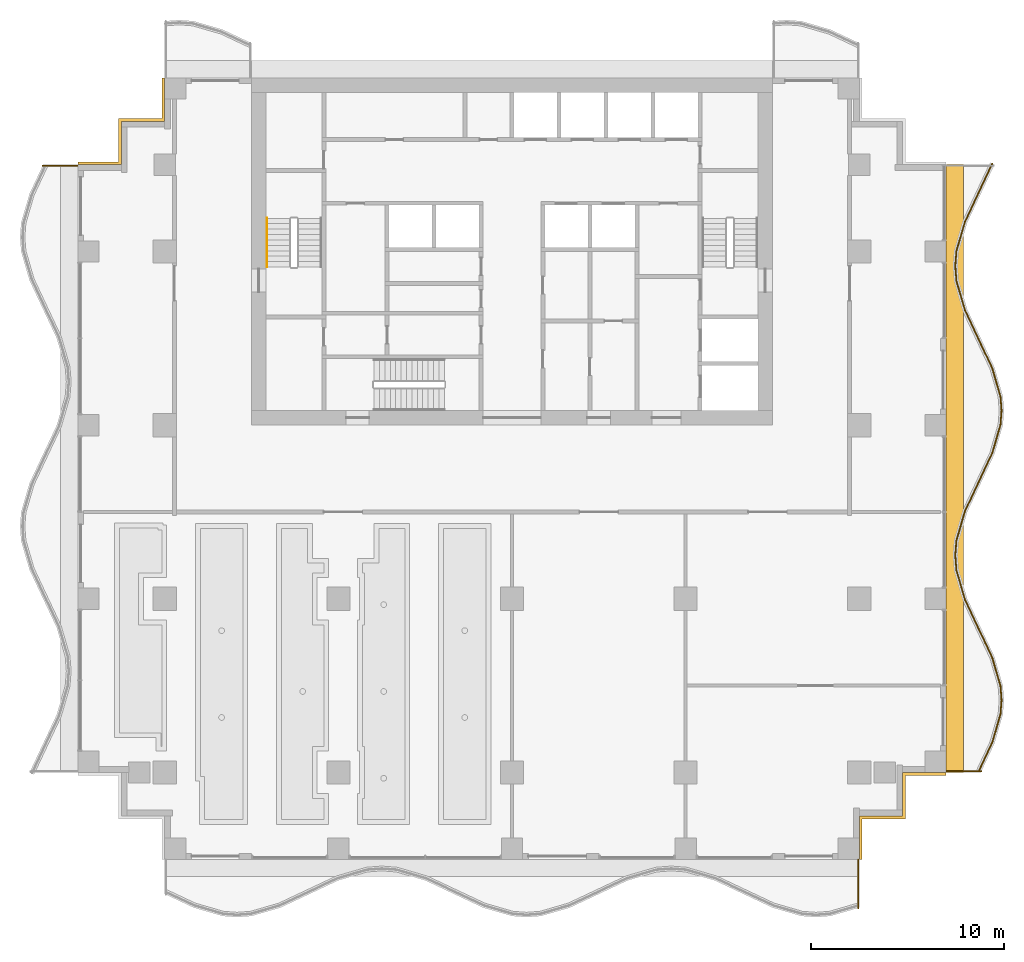
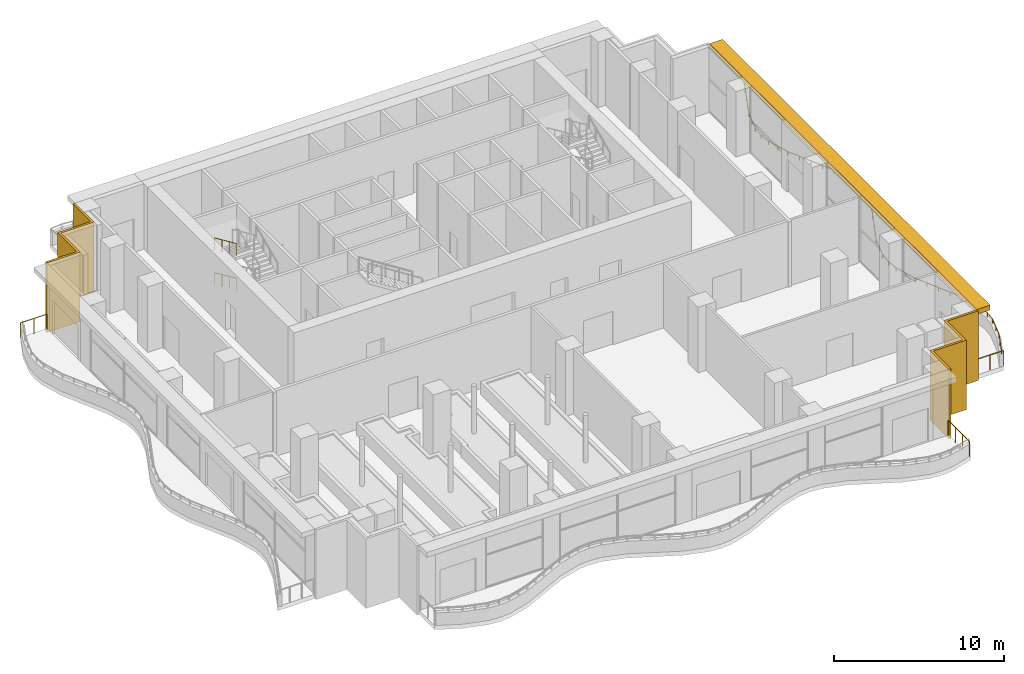
# One storey, part 14 of 16: 6 railings, 3 shading devices.
"""IFC4 building model written with IfcOpenShell, lengths in metres."""

from ifc_helpers import new_model, si_unit, direction, frame, origin, origin_2d, place, context, subcontext, project, spatial, polyline, rectangle, circle, outline, extrude, material, layer, layer_set, type_object, element, save


model = new_model("IFC4")

# Units and contexts
model_context = context("Model", 3, precision=1e-05, world=origin(), true_north=direction((0.0, 1.0)))
body_context = subcontext(model_context, "Body", "Model", "MODEL_VIEW")
ifc_project = project(units=[si_unit("LENGTHUNIT", "METRE"), si_unit("AREAUNIT", "SQUARE_METRE"), si_unit("VOLUMEUNIT", "CUBIC_METRE"), si_unit("PLANEANGLEUNIT", "RADIAN"), si_unit("MASSUNIT", "GRAM", prefix="KILO")], contexts=[model_context])

# Site, building, storey
site_placement = place(None, origin())
site = spatial("IfcSite", under=ifc_project, at=site_placement, CompositionType="ELEMENT")
building_placement = place(site_placement, origin())
building = spatial("IfcBuilding", under=site, at=building_placement, Name="Orbiselva Terraces", CompositionType="ELEMENT")
storey_placement = place(building_placement, frame((0.0, 0.0, 174.4)))
storey = spatial("IfcBuildingStorey", under=building, at=storey_placement, Name="L44", CompositionType="ELEMENT", Elevation=174.4)

# Railings
ifc_material_1 = material(Name="Stainless steel", Category="steel")
railing_type_1 = type_object("IfcRailingType", Name="CORE-HANDRAIL-900", PredefinedType="HANDRAIL", material=ifc_material_1)
for number, where, name in (
    (1, (-12.7, 15.22, 1.375), "L44 S1 stair handrail 2"),
    (2, (-12.7, 15.22, 3.875), "L44 S1 stair handrail 4"),
):
    element("IfcRailing", number, at=place(storey_placement, frame(where)), inside=storey, type_object=railing_type_1, Name=name, PredefinedType="HANDRAIL", context=body_context, shape_type="SweptSolid", body=[
        extrude(circle(Radius=0.024, at=origin_2d()), frame((0.0, 0.0, 0.876), z_axis=(0.0, -0.913137882438, 0.407650840374), x_axis=(1.0, 0.0, 0.0)), (0.0, 0.0, 1.0), 2.759715),
        extrude(circle(Radius=0.021, at=origin_2d()), origin(), (0.0, 0.0, 1.0), 0.852),
        extrude(circle(Radius=0.021, at=origin_2d()), frame((0.0, -0.84, 0.375)), (0.0, 0.0, 1.0), 0.852),
        extrude(circle(Radius=0.021, at=origin_2d()), frame((0.0, -1.68, 0.75)), (0.0, 0.0, 1.0), 0.852),
        extrude(circle(Radius=0.021, at=origin_2d()), frame((0.0, -2.52, 1.125)), (0.0, 0.0, 1.0), 0.852),
    ])
ifc_material_2 = material(Name="Bonded two-ply safety glass balustrade, stainless steel posts", Category="steel")
railing_type_2 = type_object("IfcRailingType", Name="ENV-BALUSTRADE-1200", PredefinedType="BALUSTRADE", material=ifc_material_2)
railing_1_placement = place(storey_placement, frame((24.186882, -13.446809, 0.9)))
element("IfcRailing", 3, at=railing_1_placement, inside=storey, type_object=railing_type_2, Name="Balcony balustrade L44 E", PredefinedType="BALUSTRADE", context=body_context, shape_type="SweptSolid", body=[
    extrude(outline(polyline([(0.028868, 0.0), (0.014434, 0.025), (-0.014434, 0.025), (-0.028868, 0.0), (-0.014434, -0.025), (0.014434, -0.025), (0.028868, 0.0)])), frame((0.0, 0.0, 0.275), z_axis=(0.425529912322, 0.904944359461, 0.0), x_axis=(-0.904944359461, 0.425529912322, 0.0)), (0.0, 0.0, 1.0), 1.647746),
    extrude(outline(polyline([(0.028868, 0.0), (0.014434, 0.025), (-0.014434, 0.025), (-0.028868, 0.0), (-0.014434, -0.025), (0.014434, -0.025), (0.028868, 0.0)])), frame((0.701165, 1.491118, 0.275), z_axis=(0.279071528957, 0.960270317007, 0.0), x_axis=(-0.960270317007, 0.279071528957, 0.0)), (0.0, 0.0, 1.0), 1.539408),
    extrude(outline(polyline([(0.028868, 0.0), (0.014434, 0.025), (-0.014434, 0.025), (-0.028868, 0.0), (-0.014434, -0.025), (0.014434, -0.025), (0.028868, 0.0)])), frame((1.13077, 2.969366, 0.275), z_axis=(0.078069536776, 0.996947916106, 0.0), x_axis=(-0.996947916106, 0.078069536776, 0.0)), (0.0, 0.0, 1.0), 0.72967),
    extrude(outline(polyline([(0.028868, 0.0), (0.014434, 0.025), (-0.014434, 0.025), (-0.028868, 0.0), (-0.014434, -0.025), (0.014434, -0.025), (0.028868, 0.0)])), frame((1.187735, 3.696809, 0.275), z_axis=(-0.078069536776, 0.996947916106, 0.0), x_axis=(-0.996947916106, -0.078069536776, 0.0)), (0.0, 0.0, 1.0), 0.72967),
    extrude(outline(polyline([(0.028868, 0.0), (0.014434, 0.025), (-0.014434, 0.025), (-0.028868, 0.0), (-0.014434, -0.025), (0.014434, -0.025), (0.028868, 0.0)])), frame((1.13077, 4.424252, 0.275), z_axis=(-0.279071528957, 0.960270317007, 0.0), x_axis=(-0.960270317007, -0.279071528957, 0.0)), (0.0, 0.0, 1.0), 1.539408),
    extrude(outline(polyline([(0.028868, 0.0), (0.014434, 0.025), (-0.014434, 0.025), (-0.028868, 0.0), (-0.014434, -0.025), (0.014434, -0.025), (0.028868, 0.0)])), frame((0.701165, 5.9025, 0.275), z_axis=(-0.425529912322, 0.904944359461, 0.0), x_axis=(-0.904944359461, -0.425529912322, 0.0)), (0.0, 0.0, 1.0), 1.647746),
    extrude(outline(polyline([(0.028868, 0.0), (0.014434, 0.025), (-0.014434, 0.025), (-0.028868, 0.0), (-0.014434, -0.025), (0.014434, -0.025), (0.028868, 0.0)])), frame((0.0, 7.393618, 0.275), z_axis=(-0.425530342069, 0.904944157382, 0.0), x_axis=(-0.904944157382, -0.425530342069, 0.0)), (0.0, 0.0, 1.0), 1.667376),
    extrude(outline(polyline([(0.028868, 0.0), (0.014434, 0.025), (-0.014434, 0.025), (-0.028868, 0.0), (-0.014434, -0.025), (0.014434, -0.025), (0.028868, 0.0)])), frame((-0.709519, 8.9025, 0.275), z_axis=(-0.279070928786, 0.960270491427, 0.0), x_axis=(-0.960270491427, -0.279070928786, 0.0)), (0.0, 0.0, 1.0), 1.584712),
    extrude(outline(polyline([(0.028868, 0.0), (0.014434, 0.025), (-0.014434, 0.025), (-0.028868, 0.0), (-0.014434, -0.025), (0.014434, -0.025), (0.028868, 0.0)])), frame((-1.151766, 10.424252, 0.275), z_axis=(-0.078071061106, 0.996947796737, 0.0), x_axis=(-0.996947796737, -0.078071061106, 0.0)), (0.0, 0.0, 1.0), 0.774922),
    extrude(outline(polyline([(0.028868, 0.0), (0.014434, 0.025), (-0.014434, 0.025), (-0.028868, 0.0), (-0.014434, -0.025), (0.014434, -0.025), (0.028868, 0.0)])), frame((-1.212265, 11.196809, 0.275), z_axis=(0.078071061106, 0.996947796737, 0.0), x_axis=(-0.996947796737, 0.078071061106, 0.0)), (0.0, 0.0, 1.0), 0.774922),
    extrude(outline(polyline([(0.028868, 0.0), (0.014434, 0.025), (-0.014434, 0.025), (-0.028868, 0.0), (-0.014434, -0.025), (0.014434, -0.025), (0.028868, 0.0)])), frame((-1.151766, 11.969366, 0.275), z_axis=(0.279070928786, 0.960270491427, 0.0), x_axis=(-0.960270491427, 0.279070928786, 0.0)), (0.0, 0.0, 1.0), 1.584712),
    extrude(outline(polyline([(0.028868, 0.0), (0.014434, 0.025), (-0.014434, 0.025), (-0.028868, 0.0), (-0.014434, -0.025), (0.014434, -0.025), (0.028868, 0.0)])), frame((-0.709519, 13.491118, 0.275), z_axis=(0.425530342069, 0.904944157382, 0.0), x_axis=(-0.904944157382, 0.425530342069, 0.0)), (0.0, 0.0, 1.0), 1.667376),
    extrude(outline(polyline([(0.028868, 0.0), (0.014434, 0.025), (-0.014434, 0.025), (-0.028868, 0.0), (-0.014434, -0.025), (0.014434, -0.025), (0.028868, 0.0)])), frame((0.0, 15.0, 0.275), z_axis=(0.425529912322, 0.904944359461, 0.0), x_axis=(-0.904944359461, 0.425529912322, 0.0)), (0.0, 0.0, 1.0), 1.647746),
    extrude(outline(polyline([(0.028868, 0.0), (0.014434, 0.025), (-0.014434, 0.025), (-0.028868, 0.0), (-0.014434, -0.025), (0.014434, -0.025), (0.028868, 0.0)])), frame((0.701165, 16.491118, 0.275), z_axis=(0.279071528957, 0.960270317007, 0.0), x_axis=(-0.960270317007, 0.279071528957, 0.0)), (0.0, 0.0, 1.0), 1.539408),
    extrude(outline(polyline([(0.028868, 0.0), (0.014434, 0.025), (-0.014434, 0.025), (-0.028868, 0.0), (-0.014434, -0.025), (0.014434, -0.025), (0.028868, 0.0)])), frame((1.13077, 17.969366, 0.275), z_axis=(0.078069536776, 0.996947916106, 0.0), x_axis=(-0.996947916106, 0.078069536776, 0.0)), (0.0, 0.0, 1.0), 0.72967),
    extrude(outline(polyline([(0.028868, 0.0), (0.014434, 0.025), (-0.014434, 0.025), (-0.028868, 0.0), (-0.014434, -0.025), (0.014434, -0.025), (0.028868, 0.0)])), frame((1.187735, 18.696809, 0.275), z_axis=(-0.078069536776, 0.996947916106, 0.0), x_axis=(-0.996947916106, -0.078069536776, 0.0)), (0.0, 0.0, 1.0), 0.72967),
    extrude(outline(polyline([(0.028868, 0.0), (0.014434, 0.025), (-0.014434, 0.025), (-0.028868, 0.0), (-0.014434, -0.025), (0.014434, -0.025), (0.028868, 0.0)])), frame((1.13077, 19.424252, 0.275), z_axis=(-0.279071528957, 0.960270317007, 0.0), x_axis=(-0.960270317007, -0.279071528957, 0.0)), (0.0, 0.0, 1.0), 1.539408),
    extrude(outline(polyline([(0.028868, 0.0), (0.014434, 0.025), (-0.014434, 0.025), (-0.028868, 0.0), (-0.014434, -0.025), (0.014434, -0.025), (0.028868, 0.0)])), frame((0.701165, 20.9025, 0.275), z_axis=(-0.425529912322, 0.904944359461, 0.0), x_axis=(-0.904944359461, -0.425529912322, 0.0)), (0.0, 0.0, 1.0), 1.647746),
    extrude(outline(polyline([(0.028868, 0.0), (0.014434, 0.025), (-0.014434, 0.025), (-0.028868, 0.0), (-0.014434, -0.025), (0.014434, -0.025), (0.028868, 0.0)])), frame((0.0, 22.393618, 0.275), z_axis=(-0.425530342069, 0.904944157382, 0.0), x_axis=(-0.904944157382, -0.425530342069, 0.0)), (0.0, 0.0, 1.0), 1.667376),
    extrude(outline(polyline([(0.028868, 0.0), (0.014434, 0.025), (-0.014434, 0.025), (-0.028868, 0.0), (-0.014434, -0.025), (0.014434, -0.025), (0.028868, 0.0)])), frame((-0.709519, 23.9025, 0.275), z_axis=(-0.279070928786, 0.960270491427, 0.0), x_axis=(-0.960270491427, -0.279070928786, 0.0)), (0.0, 0.0, 1.0), 1.584712),
    extrude(outline(polyline([(0.028868, 0.0), (0.014434, 0.025), (-0.014434, 0.025), (-0.028868, 0.0), (-0.014434, -0.025), (0.014434, -0.025), (0.028868, 0.0)])), frame((-1.151766, 25.424252, 0.275), z_axis=(-0.078071061106, 0.996947796737, 0.0), x_axis=(-0.996947796737, -0.078071061106, 0.0)), (0.0, 0.0, 1.0), 0.774922),
    extrude(outline(polyline([(0.028868, 0.0), (0.014434, 0.025), (-0.014434, 0.025), (-0.028868, 0.0), (-0.014434, -0.025), (0.014434, -0.025), (0.028868, 0.0)])), frame((-1.212265, 26.196809, 0.275), z_axis=(0.078071061106, 0.996947796737, 0.0), x_axis=(-0.996947796737, 0.078071061106, 0.0)), (0.0, 0.0, 1.0), 0.774922),
    extrude(outline(polyline([(0.028868, 0.0), (0.014434, 0.025), (-0.014434, 0.025), (-0.028868, 0.0), (-0.014434, -0.025), (0.014434, -0.025), (0.028868, 0.0)])), frame((-1.151766, 26.969366, 0.275), z_axis=(0.279070928786, 0.960270491427, 0.0), x_axis=(-0.960270491427, 0.279070928786, 0.0)), (0.0, 0.0, 1.0), 1.584712),
    extrude(outline(polyline([(0.028868, 0.0), (0.014434, 0.025), (-0.014434, 0.025), (-0.028868, 0.0), (-0.014434, -0.025), (0.014434, -0.025), (0.028868, 0.0)])), frame((-0.709519, 28.491118, 0.275), z_axis=(0.425530342069, 0.904944157382, 0.0), x_axis=(-0.904944157382, 0.425530342069, 0.0)), (0.0, 0.0, 1.0), 1.667376),
    extrude(outline(polyline([(0.028868, 0.0), (0.014434, 0.025), (-0.014434, 0.025), (-0.028868, 0.0), (-0.014434, -0.025), (0.014434, -0.025), (0.028868, 0.0)])), frame((0.0, 30.0, 0.275), z_axis=(0.425530128467, 0.904944257823, 0.0), x_axis=(-0.904944257823, 0.425530128467, 0.0)), (0.0, 0.0, 1.0), 1.657561),
    extrude(rectangle(XDim=0.05, YDim=0.05, at=origin_2d()), origin(), (0.0, 0.0, 1.0), 0.25),
    extrude(rectangle(XDim=0.05, YDim=0.05, at=origin_2d()), frame((0.350582, 0.745559, 0.0)), (0.0, 0.0, 1.0), 0.25),
    extrude(rectangle(XDim=0.05, YDim=0.05, at=origin_2d()), frame((0.701165, 1.491118, 0.0)), (0.0, 0.0, 1.0), 0.25),
    extrude(rectangle(XDim=0.05, YDim=0.05, at=origin_2d()), frame((0.915967, 2.230242, 0.0)), (0.0, 0.0, 1.0), 0.25),
    extrude(rectangle(XDim=0.05, YDim=0.05, at=origin_2d()), frame((1.13077, 2.969366, 0.0)), (0.0, 0.0, 1.0), 0.25),
    extrude(rectangle(XDim=0.05, YDim=0.05, at=origin_2d()), frame((1.187735, 3.696809, 0.0)), (0.0, 0.0, 1.0), 0.25),
    extrude(rectangle(XDim=0.05, YDim=0.05, at=origin_2d()), frame((1.13077, 4.424252, 0.0)), (0.0, 0.0, 1.0), 0.25),
    extrude(rectangle(XDim=0.05, YDim=0.05, at=origin_2d()), frame((0.915967, 5.163376, 0.0)), (0.0, 0.0, 1.0), 0.25),
    extrude(rectangle(XDim=0.05, YDim=0.05, at=origin_2d()), frame((0.701165, 5.9025, 0.0)), (0.0, 0.0, 1.0), 0.25),
    extrude(rectangle(XDim=0.05, YDim=0.05, at=origin_2d()), frame((0.350582, 6.648059, 0.0)), (0.0, 0.0, 1.0), 0.25),
    extrude(rectangle(XDim=0.05, YDim=0.05, at=origin_2d()), frame((0.0, 7.393618, 0.0)), (0.0, 0.0, 1.0), 0.25),
    extrude(rectangle(XDim=0.05, YDim=0.05, at=origin_2d()), frame((-0.35476, 8.148059, 0.0)), (0.0, 0.0, 1.0), 0.25),
    extrude(rectangle(XDim=0.05, YDim=0.05, at=origin_2d()), frame((-0.709519, 8.9025, 0.0)), (0.0, 0.0, 1.0), 0.25),
    extrude(rectangle(XDim=0.05, YDim=0.05, at=origin_2d()), frame((-0.930643, 9.663376, 0.0)), (0.0, 0.0, 1.0), 0.25),
    extrude(rectangle(XDim=0.05, YDim=0.05, at=origin_2d()), frame((-1.151766, 10.424252, 0.0)), (0.0, 0.0, 1.0), 0.25),
    extrude(rectangle(XDim=0.05, YDim=0.05, at=origin_2d()), frame((-1.212265, 11.196809, 0.0)), (0.0, 0.0, 1.0), 0.25),
    extrude(rectangle(XDim=0.05, YDim=0.05, at=origin_2d()), frame((-1.151766, 11.969366, 0.0)), (0.0, 0.0, 1.0), 0.25),
    extrude(rectangle(XDim=0.05, YDim=0.05, at=origin_2d()), frame((-0.930643, 12.730242, 0.0)), (0.0, 0.0, 1.0), 0.25),
    extrude(rectangle(XDim=0.05, YDim=0.05, at=origin_2d()), frame((-0.709519, 13.491118, 0.0)), (0.0, 0.0, 1.0), 0.25),
    extrude(rectangle(XDim=0.05, YDim=0.05, at=origin_2d()), frame((-0.35476, 14.245559, 0.0)), (0.0, 0.0, 1.0), 0.25),
    extrude(rectangle(XDim=0.05, YDim=0.05, at=origin_2d()), frame((0.0, 15.0, 0.0)), (0.0, 0.0, 1.0), 0.25),
    extrude(rectangle(XDim=0.05, YDim=0.05, at=origin_2d()), frame((0.350582, 15.745559, 0.0)), (0.0, 0.0, 1.0), 0.25),
    extrude(rectangle(XDim=0.05, YDim=0.05, at=origin_2d()), frame((0.701165, 16.491118, 0.0)), (0.0, 0.0, 1.0), 0.25),
    extrude(rectangle(XDim=0.05, YDim=0.05, at=origin_2d()), frame((0.915967, 17.230242, 0.0)), (0.0, 0.0, 1.0), 0.25),
    extrude(rectangle(XDim=0.05, YDim=0.05, at=origin_2d()), frame((1.13077, 17.969366, 0.0)), (0.0, 0.0, 1.0), 0.25),
    extrude(rectangle(XDim=0.05, YDim=0.05, at=origin_2d()), frame((1.187735, 18.696809, 0.0)), (0.0, 0.0, 1.0), 0.25),
    extrude(rectangle(XDim=0.05, YDim=0.05, at=origin_2d()), frame((1.13077, 19.424252, 0.0)), (0.0, 0.0, 1.0), 0.25),
    extrude(rectangle(XDim=0.05, YDim=0.05, at=origin_2d()), frame((0.915967, 20.163376, 0.0)), (0.0, 0.0, 1.0), 0.25),
    extrude(rectangle(XDim=0.05, YDim=0.05, at=origin_2d()), frame((0.701165, 20.9025, 0.0)), (0.0, 0.0, 1.0), 0.25),
    extrude(rectangle(XDim=0.05, YDim=0.05, at=origin_2d()), frame((0.350582, 21.648059, 0.0)), (0.0, 0.0, 1.0), 0.25),
    extrude(rectangle(XDim=0.05, YDim=0.05, at=origin_2d()), frame((0.0, 22.393618, 0.0)), (0.0, 0.0, 1.0), 0.25),
    extrude(rectangle(XDim=0.05, YDim=0.05, at=origin_2d()), frame((-0.35476, 23.148059, 0.0)), (0.0, 0.0, 1.0), 0.25),
    extrude(rectangle(XDim=0.05, YDim=0.05, at=origin_2d()), frame((-0.709519, 23.9025, 0.0)), (0.0, 0.0, 1.0), 0.25),
    extrude(rectangle(XDim=0.05, YDim=0.05, at=origin_2d()), frame((-0.930643, 24.663376, 0.0)), (0.0, 0.0, 1.0), 0.25),
    extrude(rectangle(XDim=0.05, YDim=0.05, at=origin_2d()), frame((-1.151766, 25.424252, 0.0)), (0.0, 0.0, 1.0), 0.25),
    extrude(rectangle(XDim=0.05, YDim=0.05, at=origin_2d()), frame((-1.212265, 26.196809, 0.0)), (0.0, 0.0, 1.0), 0.25),
    extrude(rectangle(XDim=0.05, YDim=0.05, at=origin_2d()), frame((-1.151766, 26.969366, 0.0)), (0.0, 0.0, 1.0), 0.25),
    extrude(rectangle(XDim=0.05, YDim=0.05, at=origin_2d()), frame((-0.930643, 27.730242, 0.0)), (0.0, 0.0, 1.0), 0.25),
    extrude(rectangle(XDim=0.05, YDim=0.05, at=origin_2d()), frame((-0.709519, 28.491118, 0.0)), (0.0, 0.0, 1.0), 0.25),
    extrude(rectangle(XDim=0.05, YDim=0.05, at=origin_2d()), frame((-0.35476, 29.245559, 0.0)), (0.0, 0.0, 1.0), 0.25),
    extrude(rectangle(XDim=0.05, YDim=0.05, at=origin_2d()), frame((0.0, 30.0, 0.0)), (0.0, 0.0, 1.0), 0.25),
    extrude(rectangle(XDim=0.05, YDim=0.05, at=origin_2d()), frame((0.352671, 30.75, 0.0)), (0.0, 0.0, 1.0), 0.25),
    extrude(rectangle(XDim=0.05, YDim=0.05, at=origin_2d()), frame((0.705342, 31.5, 0.0)), (0.0, 0.0, 1.0), 0.25),
])
ifc_material_3 = material(Name="Stainless steel rail and posts", Category="steel")
railing_type_3 = type_object("IfcRailingType", Name="ENV-GUARD-1105", PredefinedType="BALUSTRADE", material=ifc_material_3)
railing_2_placement = place(storey_placement, frame((17.94, -20.529516, 0.0)))
element("IfcRailing", 4, at=railing_2_placement, inside=storey, type_object=railing_type_3, Name="Balcony end guard L44 S", PredefinedType="BALUSTRADE", context=body_context, shape_type="SweptSolid", body=[
    extrude(outline(polyline([(0.028868, 0.0), (0.014434, 0.025), (-0.014434, 0.025), (-0.028868, 0.0), (-0.014434, -0.025), (0.014434, -0.025), (0.028868, 0.0)])), frame((0.0, 0.0, 1.08), z_axis=(0.0, 1.0, 0.0), x_axis=(-1.0, 0.0, 0.0)), (0.0, 0.0, 1.0), 2.504516),
    extrude(rectangle(XDim=0.05, YDim=0.05, at=origin_2d()), origin(), (0.0, 0.0, 1.0), 1.055),
    extrude(rectangle(XDim=0.05, YDim=0.05, at=origin_2d()), frame((0.0, 0.834839, 0.0)), (0.0, 0.0, 1.0), 1.055),
    extrude(rectangle(XDim=0.05, YDim=0.05, at=origin_2d()), frame((0.0, 1.669677, 0.0)), (0.0, 0.0, 1.0), 1.055),
    extrude(rectangle(XDim=0.05, YDim=0.05, at=origin_2d()), frame((0.0, 2.504516, 0.0)), (0.0, 0.0, 1.0), 1.055),
])
railing_3_placement = place(storey_placement, frame((24.330156, -13.44, 0.0)))
element("IfcRailing", 5, at=railing_3_placement, inside=storey, type_object=railing_type_3, Name="Balcony end guard L44 E", PredefinedType="BALUSTRADE", context=body_context, shape_type="SweptSolid", body=[
    extrude(outline(polyline([(0.028868, 0.0), (0.014434, 0.025), (-0.014434, 0.025), (-0.028868, 0.0), (-0.014434, -0.025), (0.014434, -0.025), (0.028868, 0.0)])), frame((0.0, 0.0, 1.08), z_axis=(-1.0, 0.0, 0.0), x_axis=(0.0, -1.0, 0.0)), (0.0, 0.0, 1.0), 1.805156),
    extrude(rectangle(XDim=0.05, YDim=0.05, at=origin_2d()), origin(), (0.0, 0.0, 1.0), 1.055),
    extrude(rectangle(XDim=0.05, YDim=0.05, at=origin_2d()), frame((-0.902578, 0.0, 0.0)), (0.0, 0.0, 1.0), 1.055),
    extrude(rectangle(XDim=0.05, YDim=0.05, at=origin_2d()), frame((-1.805156, 0.0, 0.0)), (0.0, 0.0, 1.0), 1.055),
])
railing_4_placement = place(storey_placement, frame((-24.330156, 17.94, 0.0)))
element("IfcRailing", 6, at=railing_4_placement, inside=storey, type_object=railing_type_3, Name="Balcony end guard L44 W", PredefinedType="BALUSTRADE", context=body_context, shape_type="SweptSolid", body=[
    extrude(outline(polyline([(0.028868, 0.0), (0.014434, 0.025), (-0.014434, 0.025), (-0.028868, 0.0), (-0.014434, -0.025), (0.014434, -0.025), (0.028868, 0.0)])), frame((0.0, 0.0, 1.08), z_axis=(1.0, 0.0, 0.0), x_axis=(0.0, 1.0, 0.0)), (0.0, 0.0, 1.0), 1.805156),
    extrude(rectangle(XDim=0.05, YDim=0.05, at=origin_2d()), origin(), (0.0, 0.0, 1.0), 1.055),
    extrude(rectangle(XDim=0.05, YDim=0.05, at=origin_2d()), frame((0.902578, 0.0, 0.0)), (0.0, 0.0, 1.0), 1.055),
    extrude(rectangle(XDim=0.05, YDim=0.05, at=origin_2d()), frame((1.805156, 0.0, 0.0)), (0.0, 0.0, 1.0), 1.055),
])

# Shading devices
ifc_material_4 = material(Name="Terracotta louvre screen", Category="masonry")
ifc_layer_1 = layer(ifc_material_4, 0.15)
ifc_layer_set_1 = layer_set([ifc_layer_1], Name="Terracotta louvre screen")
shading_device_type_1 = type_object("IfcShadingDeviceType", Name="ENV-SCREEN-150", PredefinedType="USERDEFINED", material=ifc_layer_set_1)
shading_device_1_placement = place(storey_placement, frame((0.0, 0.0, -0.3)))
element("IfcShadingDevice", 7, at=shading_device_1_placement, inside=storey, type_object=shading_device_type_1, Name="Louvre screen L44 NW", ObjectType="SCREEN", PredefinedType="USERDEFINED", context=body_context, shape_type="SweptSolid", body=[
    extrude(outline(polyline([(-18.15, 22.5), (-18.15, 20.4), (-20.4, 20.4), (-20.4, 18.15), (-22.5, 18.15), (-22.5, 18.0), (-20.25, 18.0), (-20.25, 20.25), (-18.0, 20.25), (-18.0, 22.5), (-18.15, 22.5)])), origin(), (0.0, 0.0, 1.0), 5.0),
])
shading_device_2_placement = place(storey_placement, frame((0.0, 0.0, -0.3)))
element("IfcShadingDevice", 8, at=shading_device_2_placement, inside=storey, type_object=shading_device_type_1, Name="Louvre screen L44 SE", ObjectType="SCREEN", PredefinedType="USERDEFINED", context=body_context, shape_type="SweptSolid", body=[
    extrude(outline(polyline([(18.15, -18.0), (18.15, -15.9), (20.4, -15.9), (20.4, -13.65), (22.5, -13.65), (22.5, -13.5), (20.25, -13.5), (20.25, -15.75), (18.0, -15.75), (18.0, -18.0), (18.15, -18.0)])), origin(), (0.0, 0.0, 1.0), 5.0),
])
ifc_material_5 = material(Name="Terracotta baguette sunshade", Category="masonry")
ifc_layer_2 = layer(ifc_material_5, 0.35)
ifc_layer_set_2 = layer_set([ifc_layer_2], Name="Terracotta baguette sunshade")
shading_device_type_2 = type_object("IfcShadingDeviceType", Name="ENV-SUNSHADE-900x350", PredefinedType="USERDEFINED", material=ifc_layer_set_2)
shading_device_3_placement = place(storey_placement, frame((0.0, 0.0, 4.35)))
element("IfcShadingDevice", 9, at=shading_device_3_placement, inside=storey, type_object=shading_device_type_2, Name="Sunshade band L44 E", ObjectType="SUNSHADE", PredefinedType="USERDEFINED", context=body_context, shape_type="SweptSolid", body=[
    extrude(outline(polyline([(23.4, -13.5), (23.4, 18.0), (22.5, 18.0), (22.5, -13.5), (23.4, -13.5)])), origin(), (0.0, 0.0, 1.0), 0.35),
])

save(model, "model.ifc")
